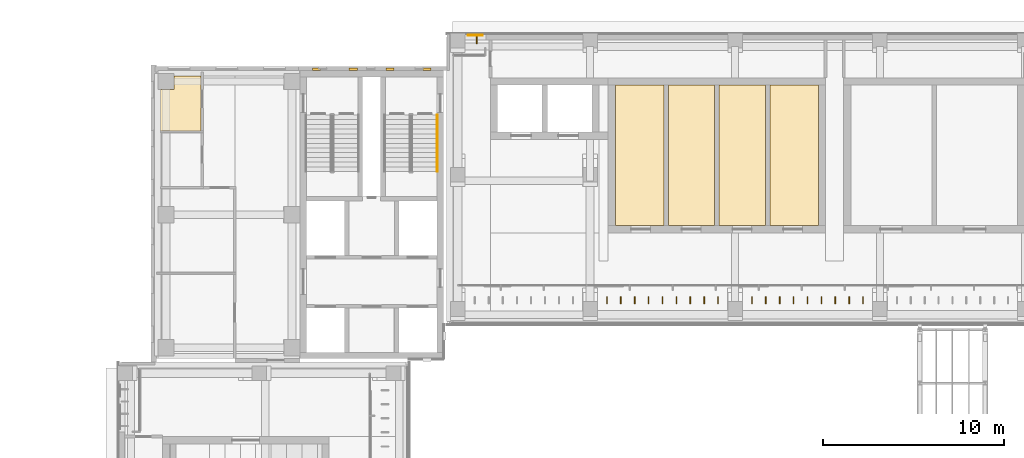
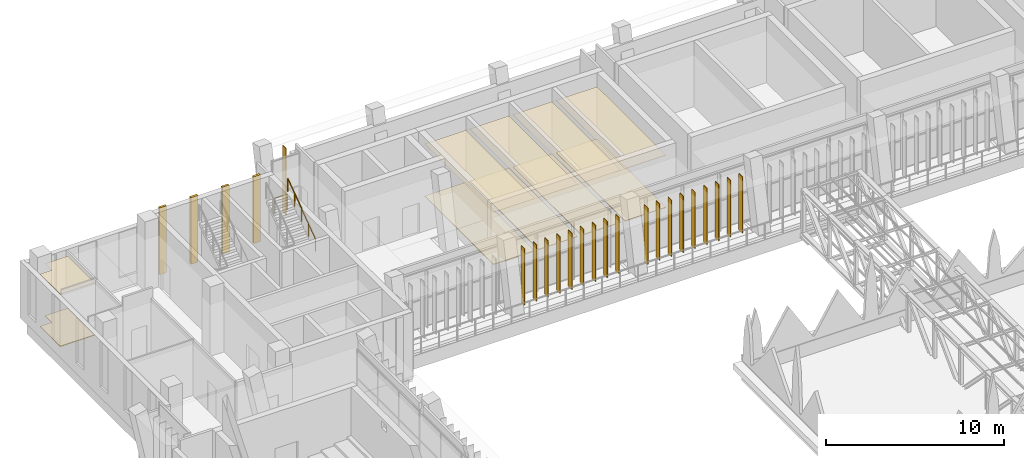
# One storey, part 130 of 141: 19 shading devices, 14 coverings, 2 railings.
"""IFC4 building model written with IfcOpenShell, lengths in metres."""

from ifc_helpers import new_model, si_unit, direction, frame, frame_2d, origin, origin_2d, place, context, subcontext, project, spatial, polyline, rectangle, circle, outline, extrude, material, layer, layer_set, type_object, element, save


model = new_model("IFC4")

# Units and contexts
model_context = context("Model", 3, precision=1e-05, world=origin(), true_north=direction((0.0, 1.0)))
body_context = subcontext(model_context, "Body", "Model", "MODEL_VIEW")
ifc_project = project(units=[si_unit("LENGTHUNIT", "METRE"), si_unit("AREAUNIT", "SQUARE_METRE"), si_unit("VOLUMEUNIT", "CUBIC_METRE"), si_unit("PLANEANGLEUNIT", "RADIAN"), si_unit("MASSUNIT", "GRAM", prefix="KILO")], contexts=[model_context])

# Site, building, storey
site_placement = place(None, origin())
site = spatial("IfcSite", under=ifc_project, at=site_placement, CompositionType="ELEMENT")
building_placement = place(site_placement, origin())
building = spatial("IfcBuilding", under=site, at=building_placement, Name="Lantern Court Media Centre", CompositionType="ELEMENT")
storey_placement = place(building_placement, frame((0.0, 0.0, 9.60009765625)))
storey = spatial("IfcBuildingStorey", under=building, at=storey_placement, Name="L02", CompositionType="ELEMENT", Elevation=9.60009765625)

# Coverings
ifc_material_1 = material(Name="Carpet")
ifc_layer_1 = layer(ifc_material_1, 0.050048828125)
ifc_layer_set_1 = layer_set([ifc_layer_1], Name="Carpet")
covering_type_1 = type_object("IfcCoveringType", Name="Carpet floor finish", PredefinedType="FLOORING", material=ifc_layer_set_1)
covering_1_placement = place(storey_placement, origin())
element("IfcCovering", 1, at=covering_1_placement, inside=storey, type_object=covering_type_1, Name="Editing Suite 08 floor finish", PredefinedType="FLOORING", context=body_context, shape_type="SweptSolid", body=[
    extrude(outline(polyline([(33.405029296875, 103.455078125), (33.405029296875, 111.195068359375), (36.070068359375, 111.195068359375), (36.070068359375, 103.455078125), (33.405029296875, 103.455078125)])), origin(), (0.0, 0.0, 1.0), 0.0498046875),
])
covering_2_placement = place(storey_placement, origin())
element("IfcCovering", 2, at=covering_2_placement, inside=storey, type_object=covering_type_1, Name="Editing Suite 09 floor finish", PredefinedType="FLOORING", context=body_context, shape_type="SweptSolid", body=[
    extrude(outline(polyline([(36.330078125, 111.195068359375), (38.8701171875, 111.195068359375), (38.8701171875, 103.455078125), (36.330078125, 103.455078125), (36.330078125, 111.195068359375)])), origin(), (0.0, 0.0, 1.0), 0.0498046875),
])
covering_3_placement = place(storey_placement, origin())
element("IfcCovering", 3, at=covering_3_placement, inside=storey, type_object=covering_type_1, Name="Editing Suite 10 floor finish", PredefinedType="FLOORING", context=body_context, shape_type="SweptSolid", body=[
    extrude(outline(polyline([(39.1298828125, 111.195068359375), (41.669921875, 111.195068359375), (41.669921875, 103.455078125), (39.1298828125, 103.455078125), (39.1298828125, 111.195068359375)])), origin(), (0.0, 0.0, 1.0), 0.0498046875),
])
covering_4_placement = place(storey_placement, origin())
element("IfcCovering", 4, at=covering_4_placement, inside=storey, type_object=covering_type_1, Name="Editing Suite 11 floor finish", PredefinedType="FLOORING", context=body_context, shape_type="SweptSolid", body=[
    extrude(outline(polyline([(41.929931640625, 111.195068359375), (44.594970703125, 111.195068359375), (44.594970703125, 103.455078125), (41.929931640625, 103.455078125), (41.929931640625, 111.195068359375)])), origin(), (0.0, 0.0, 1.0), 0.0498046875),
])
covering_5_placement = place(storey_placement, origin())
element("IfcCovering", 5, at=covering_5_placement, inside=storey, type_object=covering_type_1, Name="WC Male floor finish", PredefinedType="FLOORING", context=body_context, shape_type="SweptSolid", body=[
    extrude(outline(polyline([(10.532470703125, 111.699951171875), (10.532470703125, 108.675048828125), (8.300048828125, 108.675048828125), (8.300048828125, 110.945068359375), (9.053466796875, 110.946533203125), (9.054931640625, 111.699951171875), (10.532470703125, 111.699951171875)])), origin(), (0.0, 0.0, 1.0), 0.0498046875),
])

# Railing
ifc_material_2 = material(Name="Powder-coated steel", Category="steel")
railing_type_1 = type_object("IfcRailingType", Name="Floor edge guard 1100", PredefinedType="GUARDRAIL", material=ifc_material_2)
railing_1_placement = place(storey_placement, frame((25.27099609375, 113.93994140625, 0.0)))
element("IfcRailing", 6, at=railing_1_placement, inside=storey, type_object=railing_type_1, Name="L02 edge guard 44", PredefinedType="GUARDRAIL", context=body_context, shape_type="SweptSolid", body=[
    extrude(circle(Radius=0.02392578125, at=origin_2d()), frame((0.0, 0.0, 1.076171875), z_axis=(1.0, 0.0, 0.0), x_axis=(0.0, 1.0, 0.0)), (0.0, 0.0, 1.0), 0.799072265625),
    extrude(circle(Radius=0.02099609375, at=origin_2d()), origin(), (0.0, 0.0, 1.0), 1.052001953125),
    extrude(circle(Radius=0.02099609375, at=origin_2d()), frame((0.799072265625, 0.0, 0.0)), (0.0, 0.0, 1.0), 1.052001953125),
])

# Coverings
ifc_material_3 = material(Name="Honed limestone cladding", Category="masonry")
ifc_layer_2 = layer(ifc_material_3, 0.14990234375)
ifc_layer_set_2 = layer_set([ifc_layer_2], Name="Honed limestone cladding")
covering_type_2 = type_object("IfcCoveringType", Name="Limestone pilaster cladding 150", PredefinedType="CLADDING", material=ifc_layer_set_2)
covering_6_placement = place(storey_placement, frame((16.675048828125, 112.074951171875, 0.0), z_axis=(0.0, 0.0, 1.0), x_axis=(1.0, 0.0, 0.0)))
element("IfcCovering", 7, at=covering_6_placement, inside=storey, type_object=covering_type_2, Name="Limestone pilaster rib", PredefinedType="CLADDING", context=body_context, shape_type="SweptSolid", body=[
    extrude(rectangle(XDim=0.449951171875, YDim=0.14990234375, at=frame_2d((0.22509765625, 0.0))), origin(), (0.0, 0.0, 1.0), 4.579833984375),
])
covering_7_placement = place(storey_placement, frame((18.708251953125, 112.074951171875, 0.0), z_axis=(0.0, 0.0, 1.0), x_axis=(1.0, 0.0, 0.0)))
element("IfcCovering", 8, at=covering_7_placement, inside=storey, type_object=covering_type_2, Name="Limestone pilaster rib", PredefinedType="CLADDING", context=body_context, shape_type="SweptSolid", body=[
    extrude(rectangle(XDim=0.4501953125, YDim=0.14990234375, at=frame_2d((0.22509765625, 0.0))), origin(), (0.0, 0.0, 1.0), 4.579833984375),
])
covering_8_placement = place(storey_placement, frame((20.74169921875, 112.074951171875, 0.0), z_axis=(0.0, 0.0, 1.0), x_axis=(1.0, 0.0, 0.0)))
element("IfcCovering", 9, at=covering_8_placement, inside=storey, type_object=covering_type_2, Name="Limestone pilaster rib", PredefinedType="CLADDING", context=body_context, shape_type="SweptSolid", body=[
    extrude(rectangle(XDim=0.449951171875, YDim=0.14990234375, at=frame_2d((0.22509765625, 0.0))), origin(), (0.0, 0.0, 1.0), 4.579833984375),
])
covering_9_placement = place(storey_placement, frame((22.77490234375, 112.074951171875, 0.0), z_axis=(0.0, 0.0, 1.0), x_axis=(1.0, 0.0, 0.0)))
element("IfcCovering", 10, at=covering_9_placement, inside=storey, type_object=covering_type_2, Name="Limestone pilaster rib", PredefinedType="CLADDING", context=body_context, shape_type="SweptSolid", body=[
    extrude(rectangle(XDim=0.4501953125, YDim=0.14990234375, at=frame_2d((0.22509765625, 0.0))), origin(), (0.0, 0.0, 1.0), 4.579833984375),
])

# Railing
railing_type_2 = type_object("IfcRailingType", Name="Stair handrail 900", PredefinedType="HANDRAIL", material=ifc_material_2)
railing_2_placement = place(storey_placement, frame((23.573974609375, 106.429931640625, 2.58447265625)))
element("IfcRailing", 11, at=railing_2_placement, inside=storey, type_object=railing_type_2, Name="L02 ST-NWB stair handrail 2", PredefinedType="HANDRAIL", context=body_context, shape_type="SweptSolid", body=[
    extrude(circle(Radius=0.02392578125, at=origin_2d()), frame((0.0, 0.0, 0.8759765625), z_axis=(0.0, 0.815376961211, 0.578930402662), x_axis=(-1.0, 0.0, 0.0)), (0.0, 0.0, 1.0), 3.82666015625),
    extrude(circle(Radius=0.02099609375, at=origin_2d()), origin(), (0.0, 0.0, 1.0), 0.851806640625),
    extrude(circle(Radius=0.02099609375, at=origin_2d()), frame((0.0, 0.780029296875, 0.5537109375)), (0.0, 0.0, 1.0), 0.851806640625),
    extrude(circle(Radius=0.02099609375, at=origin_2d()), frame((0.0, 1.56005859375, 1.107666015625)), (0.0, 0.0, 1.0), 0.851806640625),
    extrude(circle(Radius=0.02099609375, at=origin_2d()), frame((0.0, 2.340087890625, 1.66162109375)), (0.0, 0.0, 1.0), 0.851806640625),
    extrude(circle(Radius=0.02099609375, at=origin_2d()), frame((0.0, 3.1201171875, 2.21533203125)), (0.0, 0.0, 1.0), 0.851806640625),
])

# Coverings
ifc_material_4 = material(Name="Mineral fibre ceiling tile")
ifc_layer_3 = layer(ifc_material_4, 0.02001953125)
ifc_layer_set_3 = layer_set([ifc_layer_3], Name="Mineral fibre ceiling tile")
covering_type_3 = type_object("IfcCoveringType", Name="Suspended ceiling tile", PredefinedType="CEILING", material=ifc_layer_set_3)
covering_10_placement = place(storey_placement, frame((0.0, 0.0, 3.599853515625)))
element("IfcCovering", 12, at=covering_10_placement, inside=storey, type_object=covering_type_3, Name="Editing Suite 08 ceiling", PredefinedType="CEILING", context=body_context, shape_type="SweptSolid", body=[
    extrude(outline(polyline([(36.199951171875, 103.450439453125), (33.400390625, 103.450439453125), (33.400390625, 111.199462890625), (36.199951171875, 111.199462890625), (36.074462890625, 111.195068359375), (36.074462890625, 103.455078125), (36.199951171875, 103.450439453125)])), origin(), (0.0, 0.0, 1.0), 0.02001953125),
])
covering_11_placement = place(storey_placement, frame((0.0, 0.0, 3.599853515625)))
element("IfcCovering", 13, at=covering_11_placement, inside=storey, type_object=covering_type_3, Name="Editing Suite 09 ceiling", PredefinedType="CEILING", context=body_context, shape_type="SweptSolid", body=[
    extrude(outline(polyline([(39.0, 103.450439453125), (36.199951171875, 103.450439453125), (36.325439453125, 103.455078125), (36.325439453125, 111.195068359375), (36.199951171875, 111.199462890625), (39.0, 111.199462890625), (38.87451171875, 111.195068359375), (38.87451171875, 103.455078125), (39.0, 103.450439453125)])), origin(), (0.0, 0.0, 1.0), 0.02001953125),
])
covering_12_placement = place(storey_placement, frame((0.0, 0.0, 3.599853515625)))
element("IfcCovering", 14, at=covering_12_placement, inside=storey, type_object=covering_type_3, Name="Editing Suite 10 ceiling", PredefinedType="CEILING", context=body_context, shape_type="SweptSolid", body=[
    extrude(outline(polyline([(41.800048828125, 103.450439453125), (39.0, 103.450439453125), (39.12548828125, 103.455078125), (39.12548828125, 111.195068359375), (39.0, 111.199462890625), (41.800048828125, 111.199462890625), (41.674560546875, 111.195068359375), (41.674560546875, 103.455078125), (41.800048828125, 103.450439453125)])), origin(), (0.0, 0.0, 1.0), 0.02001953125),
])
covering_13_placement = place(storey_placement, frame((0.0, 0.0, 3.599853515625)))
element("IfcCovering", 15, at=covering_13_placement, inside=storey, type_object=covering_type_3, Name="Editing Suite 11 ceiling", PredefinedType="CEILING", context=body_context, shape_type="SweptSolid", body=[
    extrude(outline(polyline([(41.800048828125, 111.199462890625), (44.599609375, 111.199462890625), (44.599609375, 103.450439453125), (41.800048828125, 103.450439453125), (41.925537109375, 103.455078125), (41.925537109375, 111.195068359375), (41.800048828125, 111.199462890625)])), origin(), (0.0, 0.0, 1.0), 0.02001953125),
])
covering_14_placement = place(storey_placement, frame((0.0, 0.0, 3.599853515625)))
element("IfcCovering", 16, at=covering_14_placement, inside=storey, type_object=covering_type_3, Name="WC Male ceiling", PredefinedType="CEILING", context=body_context, shape_type="SweptSolid", body=[
    extrude(outline(polyline([(10.537109375, 111.699951171875), (10.537109375, 108.67041015625), (8.300048828125, 108.67041015625), (8.300048828125, 110.949462890625), (9.05029296875, 110.94970703125), (9.050537109375, 111.699951171875), (10.537109375, 111.699951171875)])), origin(), (0.0, 0.0, 1.0), 0.02001953125),
])

# Shading devices
ifc_material_5 = material(Name="Bronze anodised aluminium louvre", Category="aluminium")
ifc_layer_4 = layer(ifc_material_5, 0.0400390625)
ifc_layer_set_4 = layer_set([ifc_layer_4], Name="Bronze anodised aluminium louvre")
shading_device_type_1 = type_object("IfcShadingDeviceType", Name="Vertical louvre 40x400 full storey", PredefinedType="USERDEFINED", material=ifc_layer_set_4)
shading_device_placement = place(storey_placement, frame((25.75, 113.679931640625, -0.000244140625), z_axis=(0.0, 0.0, 1.0), x_axis=(1.0, 0.0, 0.0)))
element("IfcShadingDevice", 17, at=shading_device_placement, inside=storey, type_object=shading_device_type_1, Name="Vertical louvre N outer L02", ObjectType="VERTICAL LOUVRE", PredefinedType="USERDEFINED", context=body_context, shape_type="SweptSolid", body=[
    extrude(rectangle(XDim=0.0400390625, YDim=0.39990234375, at=origin_2d()), origin(), (0.0, 0.0, 1.0), 4.580078125),
])
ifc_layer_5 = layer(ifc_material_5, 0.0400390625)
ifc_layer_set_5 = layer_set([ifc_layer_5], Name="Bronze anodised aluminium louvre")
shading_device_type_2 = type_object("IfcShadingDeviceType", Name="Vertical louvre 40x400 under beam", PredefinedType="USERDEFINED", material=ifc_layer_set_5)
for number, where, z_axis, x_axis, name in (
    (18, (32.933349609375, 99.320068359375, 0.0), (0.0, 0.0, 1.0), (1.0, 0.0, 0.0), "Vertical louvre N inner L02"),
    (19, (33.699951171875, 99.320068359375, 0.0), (0.0, 0.0, 1.0), (1.0, 0.0, 0.0), "Vertical louvre N inner L02"),
    (20, (34.466552734375, 99.320068359375, 0.0), (0.0, 0.0, 1.0), (1.0, 0.0, 0.0), "Vertical louvre N inner L02"),
    (21, (35.2333984375, 99.320068359375, 0.0), (0.0, 0.0, 1.0), (1.0, 0.0, 0.0), "Vertical louvre N inner L02"),
    (22, (36.0, 99.320068359375, 0.0), (0.0, 0.0, 1.0), (1.0, 0.0, 0.0), "Vertical louvre N inner L02"),
    (23, (36.7666015625, 99.320068359375, 0.0), (0.0, 0.0, 1.0), (1.0, 0.0, 0.0), "Vertical louvre N inner L02"),
    (24, (37.533447265625, 99.320068359375, 0.0), (0.0, 0.0, 1.0), (1.0, 0.0, 0.0), "Vertical louvre N inner L02"),
    (25, (38.300048828125, 99.320068359375, 0.0), (0.0, 0.0, 1.0), (1.0, 0.0, 0.0), "Vertical louvre N inner L02"),
    (26, (39.066650390625, 99.320068359375, 0.0), (0.0, 0.0, 1.0), (1.0, 0.0, 0.0), "Vertical louvre N inner L02"),
    (27, (40.933349609375, 99.320068359375, 0.0), (0.0, 0.0, 1.0), (1.0, 0.0, 0.0), "Vertical louvre N inner L02"),
    (28, (41.699951171875, 99.320068359375, 0.0), (0.0, 0.0, 1.0), (1.0, 0.0, 0.0), "Vertical louvre N inner L02"),
    (29, (42.466552734375, 99.320068359375, 0.0), (0.0, 0.0, 1.0), (1.0, 0.0, 0.0), "Vertical louvre N inner L02"),
    (30, (43.2333984375, 99.320068359375, 0.0), (0.0, 0.0, 1.0), (1.0, 0.0, 0.0), "Vertical louvre N inner L02"),
    (31, (44.0, 99.320068359375, 0.0), (0.0, 0.0, 1.0), (1.0, 0.0, 0.0), "Vertical louvre N inner L02"),
    (32, (44.7666015625, 99.320068359375, 0.0), (0.0, 0.0, 1.0), (1.0, 0.0, 0.0), "Vertical louvre N inner L02"),
    (33, (45.533447265625, 99.320068359375, 0.0), (0.0, 0.0, 1.0), (1.0, 0.0, 0.0), "Vertical louvre N inner L02"),
    (34, (46.300048828125, 99.320068359375, 0.0), (0.0, 0.0, 1.0), (1.0, 0.0, 0.0), "Vertical louvre N inner L02"),
    (35, (47.066650390625, 99.320068359375, 0.0), (0.0, 0.0, 1.0), (1.0, 0.0, 0.0), "Vertical louvre N inner L02"),
):
    element("IfcShadingDevice", number, at=place(storey_placement, frame(where, z_axis=z_axis, x_axis=x_axis)), inside=storey, type_object=shading_device_type_2, Name=name, ObjectType="VERTICAL LOUVRE", PredefinedType="USERDEFINED", context=body_context, shape_type="SweptSolid", body=[
        extrude(rectangle(XDim=0.0400390625, YDim=0.39990234375, at=origin_2d()), origin(), (0.0, 0.0, 1.0), 3.89990234375),
    ])

save(model, "model.ifc")
